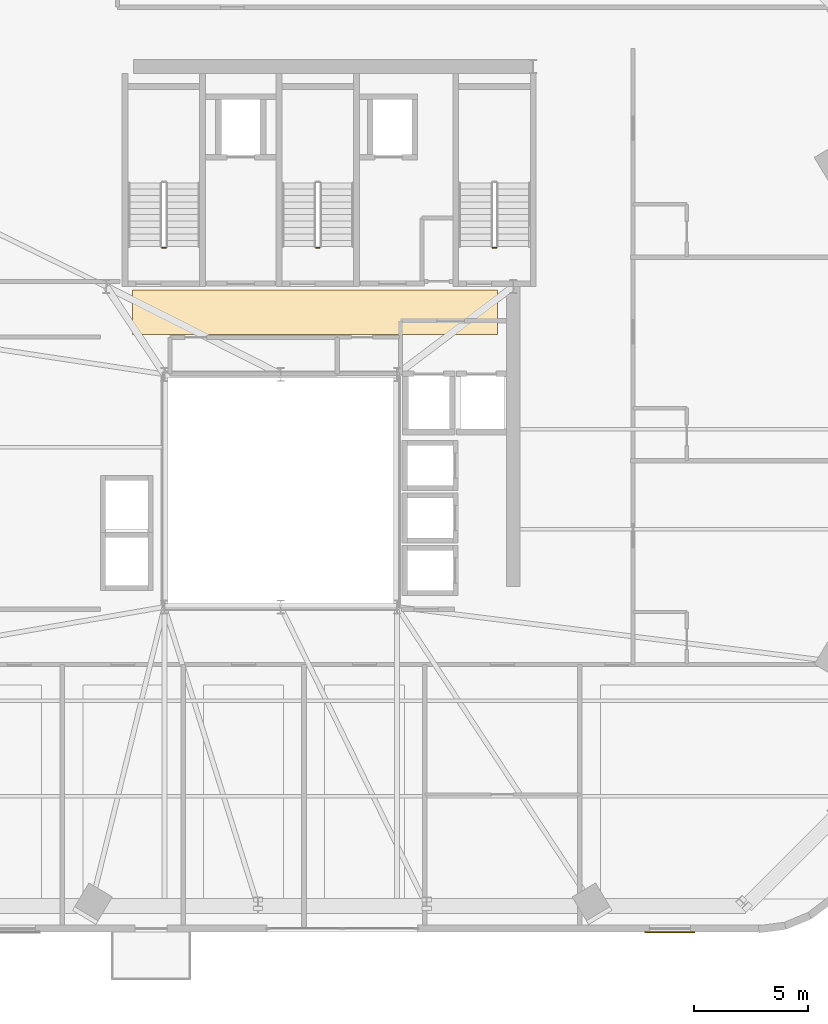
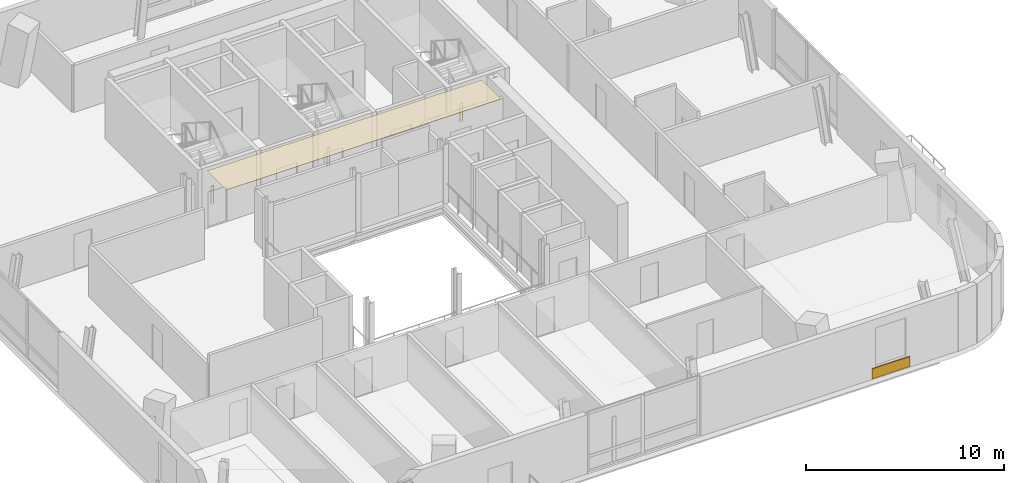
# One storey, part 13 of 15: 3 railings, 2 coverings.
"""IFC4 building model written with IfcOpenShell, lengths in metres."""

from ifc_helpers import new_model, si_unit, direction, frame, origin, origin_2d, place, context, subcontext, project, spatial, polyline, rectangle, outline, extrude, source, transform, mapped, material, layer, layer_set, type_object, element, save


model = new_model("IFC4")

# Units and contexts
model_context = context("Model", 3, precision=1e-05, world=origin(), true_north=direction((0.0, 1.0)))
body_context = subcontext(model_context, "Body", "Model", "MODEL_VIEW")
ifc_project = project(units=[si_unit("LENGTHUNIT", "METRE"), si_unit("AREAUNIT", "SQUARE_METRE"), si_unit("VOLUMEUNIT", "CUBIC_METRE"), si_unit("PLANEANGLEUNIT", "RADIAN"), si_unit("MASSUNIT", "GRAM", prefix="KILO")], contexts=[model_context])

# Site, building, storey
site_placement = place(None, origin())
site = spatial("IfcSite", under=ifc_project, at=site_placement, CompositionType="ELEMENT")
building_placement = place(site_placement, origin())
building = spatial("IfcBuilding", under=site, at=building_placement, Name="Vardaveli Station Tower", CompositionType="ELEMENT")
storey_placement = place(building_placement, frame((0.0, 0.0, 258.5)))
storey = spatial("IfcBuildingStorey", under=building, at=storey_placement, Name="L66", CompositionType="ELEMENT", Elevation=258.5)

# Coverings
ifc_material_1 = material(Name="Perforated acoustic mineral ceiling")
ifc_layer_1 = layer(ifc_material_1, 0.02001953125, Name="Perforated acoustic mineral ceiling")
ifc_layer_set_1 = layer_set([ifc_layer_1], Name="Perforated acoustic mineral ceiling")
covering_type_1 = type_object("IfcCoveringType", Name="COV-CEIL-AC20", PredefinedType="CEILING", material=ifc_layer_set_1)
covering_1_placement = place(storey_placement, frame((0.0, 0.0, 3.635009765625)))
element("IfcCovering", 1, at=covering_1_placement, inside=storey, type_object=covering_type_1, Name="CEIL-L66-7", PredefinedType="CEILING", context=body_context, shape_type="SweptSolid", body=[
    extrude(outline(polyline([(29.800048828125, 28.550048828125), (45.800048828125, 28.550048828125), (45.800048828125, 30.5), (29.800048828125, 30.5), (29.800048828125, 28.550048828125)])), origin(), (0.0, 0.0, 1.0), 0.02001953125),
])
ifc_material_2 = material(Name="Ventilated honed travertine stone cladding", Category="masonry")
ifc_layer_2 = layer(ifc_material_2, 0.044921875, Name="Ventilated honed travertine stone cladding")
ifc_layer_set_2 = layer_set([ifc_layer_2], Name="Ventilated honed travertine stone cladding")
covering_type_2 = type_object("IfcCoveringType", Name="COV-CLAD-TR45", PredefinedType="CLADDING", material=ifc_layer_set_2)
shared_shape_1 = source(origin(), body_context, "Body", "SweptSolid", [
    extrude(rectangle(XDim=2.199951171875, YDim=0.044921875, at=origin_2d()), origin(), (0.0, 0.0, 1.0), 0.6201171875),
])
covering_2_placement = place(storey_placement, frame((53.363037109375, 2.325439453125, 0.06982421875), z_axis=(0.0, 0.0, 1.0), x_axis=(1.0, 0.0, 0.0)))
element("IfcCovering", 2, at=covering_2_placement, inside=storey, type_object=covering_type_2, Name="CLD-TR-L66-S", PredefinedType="CLADDING", context=body_context, shape_type="MappedRepresentation", body=[
    mapped(shared_shape_1, transform((0.0, 0.0, 0.0), scale=1.0)),
])

# Railings
ifc_material_3 = material(Name="Brushed AISI 316 stainless steel", Category="steel")
railing_type = type_object("IfcRailingType", Name="RL-GUARD-1150", PredefinedType="GUARDRAIL", material=ifc_material_3)
shared_shape_2 = source(origin(), body_context, "Body", "SweptSolid", [
    extrude(rectangle(XDim=0.048095703125, YDim=0.048095703125, at=origin_2d()), frame((0.0, 0.0, 1.1259765625), z_axis=(-1.0, 0.0, 0.0), x_axis=(0.0, -1.0, 0.0)), (0.0, 0.0, 1.0), 0.14990234375),
    extrude(rectangle(XDim=0.0419921875, YDim=0.0419921875, at=origin_2d()), origin(), (0.0, 0.0, 1.0), 1.101806640625),
    extrude(rectangle(XDim=0.0419921875, YDim=0.0419921875, at=origin_2d()), frame((-0.14990234375, 0.0, 0.0)), (0.0, 0.0, 1.0), 1.101806640625),
])
for number, where, name in (
    (3, (31.25, 32.35009765625, 0.0), "L66 ST-1 stair guard 4"),
    (4, (38.0, 32.35009765625, 0.0), "L66 ST-2 stair guard 4"),
    (5, (45.75, 32.35009765625, 0.0), "L66 ST-3 stair guard 4"),
):
    element("IfcRailing", number, at=place(storey_placement, frame(where)), inside=storey, type_object=railing_type, Name=name, PredefinedType="GUARDRAIL", context=body_context, shape_type="MappedRepresentation", body=[
        mapped(shared_shape_2, transform((0.0, 0.0, 0.0), scale=1.0)),
    ])

save(model, "model.ifc")
